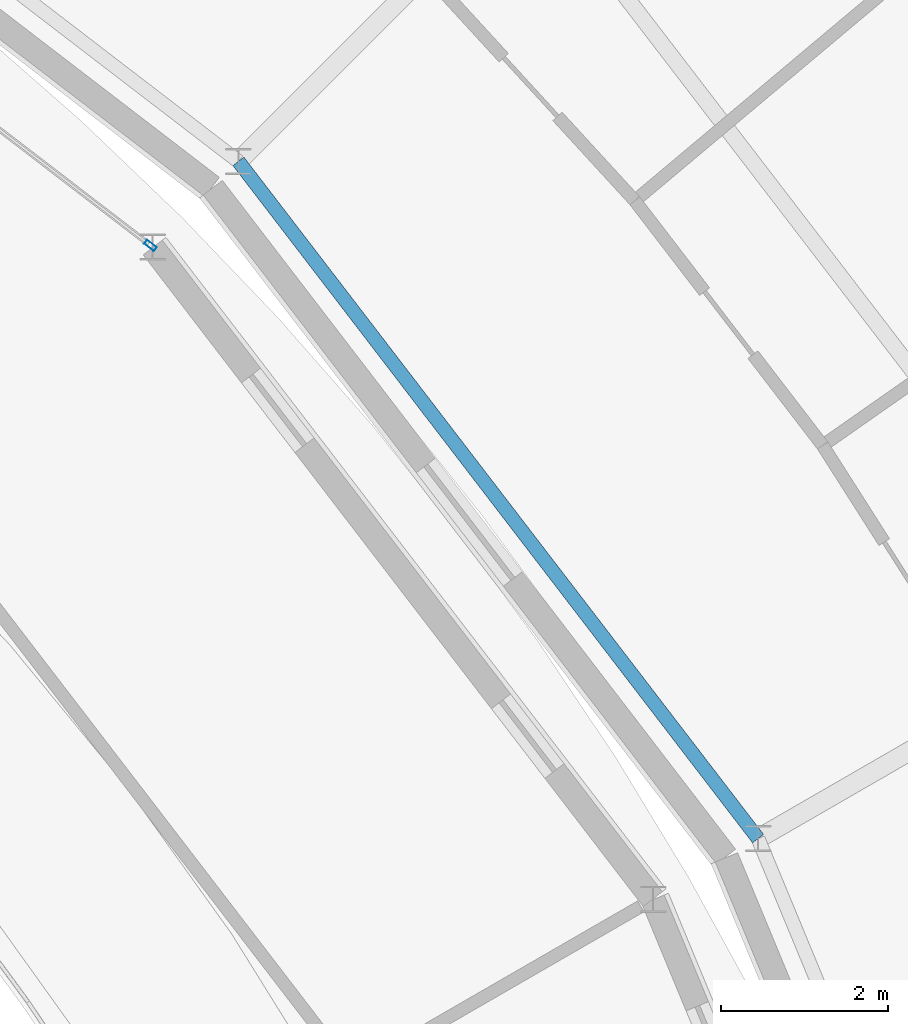
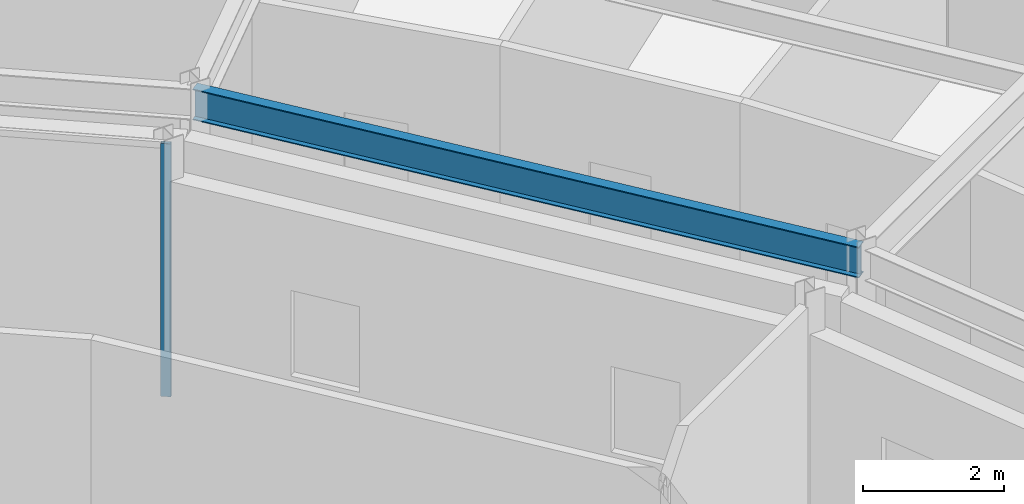
# One storey, part 53 of 116: 1 beam, 1 member, 1 element without a shape of its own.
"""IFC4 building model written with IfcOpenShell, lengths in metres."""

from ifc_helpers import new_model, si_unit, direction, frame, origin, origin_2d, place, context, subcontext, project, spatial, hollow_rectangle, i_section, extrude, material, material_profile, profile_set, type_object, element, aggregate, save


model = new_model("IFC4")

# Units and contexts
model_context = context("Model", 3, precision=1e-05, world=origin(), true_north=direction((0.0, 1.0)))
body_context = subcontext(model_context, "Body", "Model", "MODEL_VIEW")
ifc_project = project(units=[si_unit("LENGTHUNIT", "METRE"), si_unit("AREAUNIT", "SQUARE_METRE"), si_unit("VOLUMEUNIT", "CUBIC_METRE"), si_unit("PLANEANGLEUNIT", "RADIAN"), si_unit("MASSUNIT", "GRAM", prefix="KILO")], contexts=[model_context])

# Site, building, storey
site_placement = place(None, origin())
site = spatial("IfcSite", under=ifc_project, at=site_placement, CompositionType="ELEMENT")
building_placement = place(site_placement, origin())
building = spatial("IfcBuilding", under=site, at=building_placement, Name="Almandine Court Research Institute", CompositionType="ELEMENT")
storey_placement = place(building_placement, frame((0.0, 0.0, 14.35009765625)))
storey = spatial("IfcBuildingStorey", under=building, at=storey_placement, Name="L03", CompositionType="ELEMENT", Elevation=14.35009765625)

# Beam
ifc_material_1 = material(Name="Steel ASTM A992 Grade 50", Category="steel")
ifc_material_profile_1 = material_profile(ifc_material_1, i_section(OverallWidth=0.166015625, OverallDepth=0.534912109375, WebThickness=0.010009765625, FlangeThickness=0.01708984375, at=origin_2d()), Name="W530x85")
ifc_profile_set_1 = profile_set([ifc_material_profile_1], Name="Steel ASTM A992 Grade 50")
beam_type = type_object("IfcBeamType", Name="Beam-G-05-E", PredefinedType="SPANDREL", material=ifc_profile_set_1)
beam_placement = place(storey_placement, frame((120.862060546875, 75.550048828125, 4.102783203125), z_axis=(-0.608784478787, 0.793335653042, 0.0), x_axis=(-0.793335653042, -0.608784478787, 0.0)))
element("IfcBeam", 1, at=beam_placement, inside=storey, type_object=beam_type, Name="L03 Drum IN Ring Beam 02", PredefinedType="SPANDREL", context=body_context, shape_type="SweptSolid", body=[
    extrude(i_section(OverallWidth=0.166015625, OverallDepth=0.534912109375, WebThickness=0.010009765625, FlangeThickness=0.01708984375, at=origin_2d()), origin(), (0.0, 0.0, 1.0), 10.20751953125),
])

# Curtain wall, member
ifc_material_2 = material(Name="Unitised Curtain Wall Framing and Solar Glazing", Category="glass")
curtain_wall_type = type_object("IfcCurtainWallType", Name="CW-CWG-24", PredefinedType="USERDEFINED", material=ifc_material_2)
curtain_wall_placement = place(storey_placement, origin())
curtain_wall = element("IfcCurtainWall", 2, at=curtain_wall_placement, inside=storey, type_object=curtain_wall_type, Name="L03 Interaction Atrium Perimeter Curtain Wall 03", ObjectType="UNITISED GLAZING", PredefinedType="USERDEFINED")
ifc_material_3 = material(Name="Anodised Aluminium AW-6063-T6", Category="aluminium")
ifc_material_profile_2 = material_profile(ifc_material_3, hollow_rectangle(XDim=0.06005859375, YDim=0.14990234375, WallThickness=0.00390625, at=origin_2d()), Name="ALU RHS 60x150x4")
ifc_profile_set_2 = profile_set([ifc_material_profile_2], Name="Anodised Aluminium AW-6063-T6")
member_type = type_object("IfcMemberType", Name="CWMul-60x150", PredefinedType="MULLION", material=ifc_profile_set_2)
member_placement = place(storey_placement, frame((113.59619140625, 82.643310546875, 0.0), z_axis=(0.0, 0.0, 1.0), x_axis=(0.608760667029, 0.793353924979, 0.0)))
member = element("IfcMember", 3, at=member_placement, type_object=member_type, Name="CWG-24 mullion 3", PredefinedType="MULLION", context=body_context, shape_type="SweptSolid", body=[
    extrude(hollow_rectangle(XDim=0.06005859375, YDim=0.14990234375, WallThickness=0.00390625, at=origin_2d()), origin(), (0.0, 0.0, 1.0), 4.369873046875),
])
aggregate(curtain_wall, [member])

save(model, "model.ifc")
